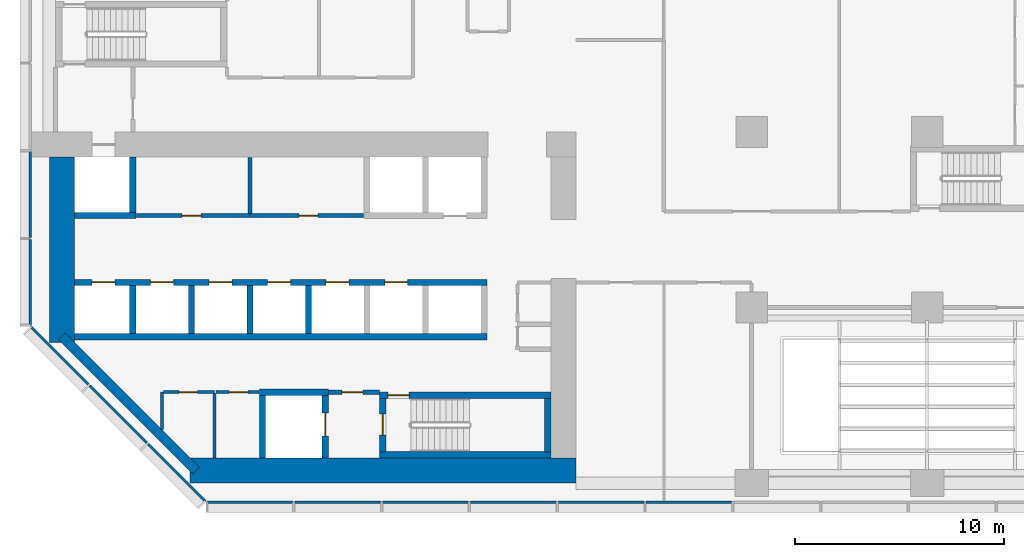
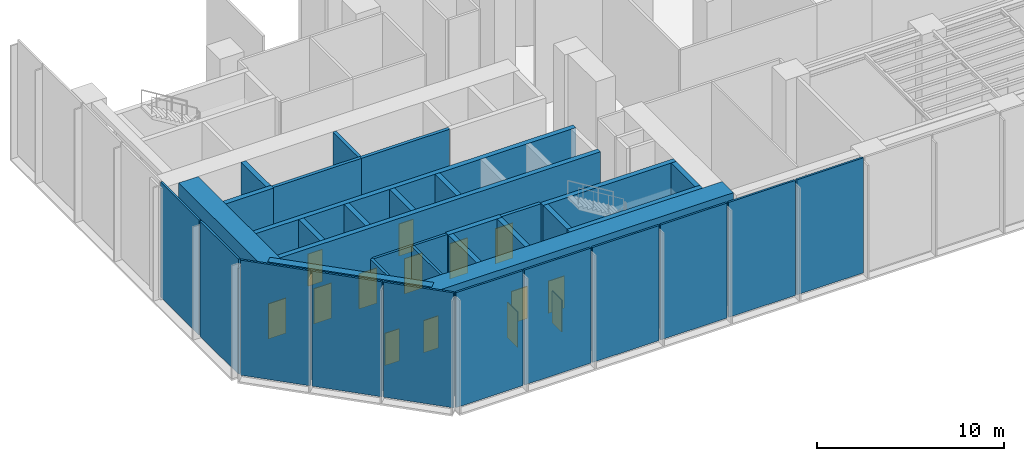
# One storey, part 12 of 22: 37 walls, 14 doors, 14 openings.
"""IFC4 building model written with IfcOpenShell, lengths in metres."""

from ifc_helpers import new_model, si_unit, direction, frame, frame_2d, origin, place, context, subcontext, project, spatial, polyline, rectangle, outline, extrude, material, layer, layer_set, type_object, element, fill, save


model = new_model("IFC4")

# Units and contexts
model_context = context("Model", 3, precision=1e-05, world=origin(), true_north=direction((0.0, 1.0)))
body_context = subcontext(model_context, "Body", "Model", "MODEL_VIEW")
ifc_project = project(units=[si_unit("LENGTHUNIT", "METRE"), si_unit("AREAUNIT", "SQUARE_METRE"), si_unit("VOLUMEUNIT", "CUBIC_METRE"), si_unit("PLANEANGLEUNIT", "RADIAN"), si_unit("MASSUNIT", "GRAM", prefix="KILO")], contexts=[model_context])

# Site, building, storey
site_placement = place(None, origin())
site = spatial("IfcSite", under=ifc_project, at=site_placement, CompositionType="ELEMENT")
building_placement = place(site_placement, origin())
building = spatial("IfcBuilding", under=site, at=building_placement, Name="Brevane Broadcast Tower", CompositionType="ELEMENT")
storey_placement = place(building_placement, frame((0.0, 0.0, 20.0)))
storey = spatial("IfcBuildingStorey", under=building, at=storey_placement, Name="L03", CompositionType="ELEMENT", Elevation=20.0)

# Wall
ifc_material_1 = material(Name="Gypsum board on steel studs", Category="steel")
ifc_layer_1 = layer(ifc_material_1, 0.14990234375)
ifc_layer_set_1 = layer_set([ifc_layer_1], Name="Core fire partition 150 mm")
wall_type_1 = type_object("IfcWallType", Name="Core fire partition 150 mm", PredefinedType="PARTITIONING", material=ifc_layer_set_1)
wall_1_placement = place(storey_placement, frame((5.39990234375, 2.553466796875, 0.0), z_axis=(0.0, 0.0, 1.0), x_axis=(0.0, 1.0, 0.0)))
element("IfcWall", 1, at=wall_1_placement, inside=storey, type_object=wall_type_1, Name="L03 partition wall P10", PredefinedType="PARTITIONING", context=body_context, shape_type="SweptSolid", body=[
    extrude(rectangle(XDim=1.796630859375, YDim=0.14990234375, at=frame_2d((0.8984375, 0.0))), origin(), (0.0, 0.0, 1.0), 7.25),
])

# Wall, opening, door
wall_2_placement = place(storey_placement, frame((5.47509765625, 4.35009765625, 0.0), z_axis=(0.0, 0.0, 1.0), x_axis=(1.0, 0.0, 0.0)))
wall_2 = element("IfcWall", 2, at=wall_2_placement, inside=storey, type_object=wall_type_1, Name="L03 partition wall P11", PredefinedType="PARTITIONING", context=body_context, shape_type="SweptSolid", body=[
    extrude(rectangle(XDim=2.4248046875, YDim=0.14990234375, at=frame_2d((1.21240234375, 0.0))), origin(), (0.0, 0.0, 1.0), 7.25),
])
opening_1_placement = place(wall_2_placement, frame((0.72509765625, 0.0, 0.0)))
opening_1 = element("IfcOpeningElement", 3, at=opening_1_placement, cuts=wall_2, Name="Opening L03-K19", PredefinedType="OPENING", context=body_context, shape_type="SweptSolid", body=[
    extrude(rectangle(XDim=0.89990234375, YDim=2.10009765625, at=frame_2d((0.449951171875, 1.050048828125))), frame((0.0, 0.0849609375, 0.0), z_axis=(0.0, -1.0, 0.0), x_axis=(1.0, 0.0, 0.0)), (0.0, 0.0, 1.0), 0.169921875),
])
ifc_material_2 = material(Name="Timber", Category="wood")
door_type_1 = type_object("IfcDoorType", Name="Toilet door 900 x 2100", OperationType="SINGLE_SWING_LEFT", PredefinedType="DOOR", material=ifc_material_2)
door_1_placement = place(opening_1_placement, origin())
door_1 = element("IfcDoor", 4, at=door_1_placement, inside=storey, type_object=door_type_1, Name="Door L03-K19", OperationType="SINGLE_SWING_RIGHT", OverallHeight=2.10009765625, OverallWidth=0.89990234375, PredefinedType="DOOR", context=body_context, shape_type="SweptSolid", body=[
    extrude(rectangle(XDim=0.89990234375, YDim=2.10009765625, at=frame_2d((0.449951171875, 1.050048828125))), frame((0.0, 0.02490234375, 0.0), z_axis=(0.0, -1.0, 0.0), x_axis=(1.0, 0.0, 0.0)), (0.0, 0.0, 1.0), 0.050048828125),
])
fill(opening_1, door_1)

# Wall
wall_3_placement = place(storey_placement, frame((7.89990234375, 4.27490234375, 0.0), z_axis=(0.0, 0.0, 1.0), x_axis=(0.0, -1.0, 0.0)))
element("IfcWall", 5, at=wall_3_placement, inside=storey, type_object=wall_type_1, Name="L03 partition wall P12", PredefinedType="PARTITIONING", context=body_context, shape_type="SweptSolid", body=[
    extrude(rectangle(XDim=3.06298828125, YDim=0.14990234375, at=frame_2d((1.531494140625, 0.0))), origin(), (0.0, 0.0, 1.0), 7.25),
])

# Wall, opening, door
wall_4_placement = place(storey_placement, frame((10.0380859375, 4.35009765625, 0.0), z_axis=(0.0, 0.0, 1.0), x_axis=(-1.0, 0.0, 0.0)))
wall_4 = element("IfcWall", 6, at=wall_4_placement, inside=storey, type_object=wall_type_1, Name="L03 partition wall P13", PredefinedType="PARTITIONING", context=body_context, shape_type="SweptSolid", body=[
    extrude(rectangle(XDim=2.06298828125, YDim=0.14990234375, at=frame_2d((1.031494140625, 0.0))), origin(), (0.0, 0.0, 1.0), 7.25),
])
opening_2_placement = place(wall_4_placement, frame((0.5380859375, 0.0, 0.0)))
opening_2 = element("IfcOpeningElement", 7, at=opening_2_placement, cuts=wall_4, Name="Opening L03-K20", PredefinedType="OPENING", context=body_context, shape_type="SweptSolid", body=[
    extrude(rectangle(XDim=0.89990234375, YDim=2.10009765625, at=frame_2d((0.449951171875, 1.050048828125))), frame((0.0, 0.0849609375, 0.0), z_axis=(0.0, -1.0, 0.0), x_axis=(1.0, 0.0, 0.0)), (0.0, 0.0, 1.0), 0.169921875),
])
door_2_placement = place(opening_2_placement, origin())
door_2 = element("IfcDoor", 8, at=door_2_placement, inside=storey, type_object=door_type_1, Name="Door L03-K20", OperationType="SINGLE_SWING_LEFT", OverallHeight=2.10009765625, OverallWidth=0.89990234375, PredefinedType="DOOR", context=body_context, shape_type="SweptSolid", body=[
    extrude(rectangle(XDim=0.89990234375, YDim=2.10009765625, at=frame_2d((0.449951171875, 1.050048828125))), frame((0.0, 0.02490234375, 0.0), z_axis=(0.0, -1.0, 0.0), x_axis=(1.0, 0.0, 0.0)), (0.0, 0.0, 1.0), 0.050048828125),
])
fill(opening_2, door_2)

ifc_layer_2 = layer(ifc_material_1, 0.199951171875)
ifc_layer_set_2 = layer_set([ifc_layer_2], Name="Core fire partition 200 mm")
wall_type_2 = type_object("IfcWallType", Name="Core fire partition 200 mm", PredefinedType="PARTITIONING", material=ifc_layer_set_2)
wall_5_placement = place(storey_placement, frame((13.362060546875, 4.35009765625, 0.0), z_axis=(0.0, 0.0, 1.0), x_axis=(1.0, 0.0, 0.0)))
wall_5 = element("IfcWall", 9, at=wall_5_placement, inside=storey, type_object=wall_type_2, Name="L03 partition wall P03", PredefinedType="PARTITIONING", context=body_context, shape_type="SweptSolid", body=[
    extrude(rectangle(XDim=2.426025390625, YDim=0.199951171875, at=frame_2d((1.212890625, 0.0))), origin(), (0.0, 0.0, 1.0), 7.25),
])
opening_3_placement = place(wall_5_placement, frame((0.637939453125, 0.0, 0.0)))
opening_3 = element("IfcOpeningElement", 10, at=opening_3_placement, cuts=wall_5, Name="Opening L03-K21", PredefinedType="OPENING", context=body_context, shape_type="SweptSolid", body=[
    extrude(rectangle(XDim=1.0, YDim=2.10009765625, at=frame_2d((0.5, 1.050048828125))), frame((0.0, 0.10986328125, 0.0), z_axis=(0.0, -1.0, 0.0), x_axis=(1.0, 0.0, 0.0)), (0.0, 0.0, 1.0), 0.219970703125),
])
ifc_material_3 = material(Name="Steel", Category="steel")
door_type_2 = type_object("IfcDoorType", Name="Stair door 1000 x 2100", OperationType="SINGLE_SWING_LEFT", PredefinedType="DOOR", material=ifc_material_3)
door_3_placement = place(opening_3_placement, origin())
door_3 = element("IfcDoor", 11, at=door_3_placement, inside=storey, type_object=door_type_2, Name="Door L03-K21", OperationType="SINGLE_SWING_RIGHT", OverallHeight=2.10009765625, OverallWidth=1.0, PredefinedType="DOOR", context=body_context, shape_type="SweptSolid", body=[
    extrude(rectangle(XDim=1.0, YDim=2.10009765625, at=frame_2d((0.5, 1.050048828125))), frame((0.0, 0.02490234375, 0.0), z_axis=(0.0, -1.0, 0.0), x_axis=(1.0, 0.0, 0.0)), (0.0, 0.0, 1.0), 0.050048828125),
])
fill(opening_3, door_3)

wall_6_placement = place(storey_placement, frame((4.162109375, 12.800048828125, 0.0), z_axis=(0.0, 0.0, 1.0), x_axis=(1.0, 0.0, 0.0)))
wall_6 = element("IfcWall", 12, at=wall_6_placement, inside=storey, type_object=wall_type_2, Name="L03 partition wall P04", PredefinedType="PARTITIONING", context=body_context, shape_type="SweptSolid", body=[
    extrude(rectangle(XDim=5.43798828125, YDim=0.199951171875, at=frame_2d((2.718994140625, 0.0))), origin(), (0.0, 0.0, 1.0), 7.25),
])
opening_4_placement = place(wall_6_placement, frame((2.18798828125, 0.0, 0.0)))
opening_4 = element("IfcOpeningElement", 13, at=opening_4_placement, cuts=wall_6, Name="Opening L03-K24", PredefinedType="OPENING", context=body_context, shape_type="SweptSolid", body=[
    extrude(rectangle(XDim=0.89990234375, YDim=2.10009765625, at=frame_2d((0.449951171875, 1.050048828125))), frame((0.0, 0.10986328125, 0.0), z_axis=(0.0, -1.0, 0.0), x_axis=(1.0, 0.0, 0.0)), (0.0, 0.0, 1.0), 0.219970703125),
])
door_type_3 = type_object("IfcDoorType", Name="Service room door 900 x 2100", OperationType="SINGLE_SWING_LEFT", PredefinedType="DOOR", material=ifc_material_3)
door_4_placement = place(opening_4_placement, origin())
door_4 = element("IfcDoor", 14, at=door_4_placement, inside=storey, type_object=door_type_3, Name="Door L03-K24", OperationType="SINGLE_SWING_LEFT", OverallHeight=2.10009765625, OverallWidth=0.89990234375, PredefinedType="DOOR", context=body_context, shape_type="SweptSolid", body=[
    extrude(rectangle(XDim=0.89990234375, YDim=2.10009765625, at=frame_2d((0.449951171875, 1.050048828125))), frame((0.0, 0.02490234375, 0.0), z_axis=(0.0, -1.0, 0.0), x_axis=(1.0, 0.0, 0.0)), (0.0, 0.0, 1.0), 0.050048828125),
])
fill(opening_4, door_4)

wall_7_placement = place(storey_placement, frame((9.60009765625, 12.800048828125, 0.0), z_axis=(0.0, 0.0, 1.0), x_axis=(1.0, 0.0, 0.0)))
wall_7 = element("IfcWall", 15, at=wall_7_placement, inside=storey, type_object=wall_type_2, Name="L03 partition wall P05", PredefinedType="PARTITIONING", context=body_context, shape_type="SweptSolid", body=[
    extrude(rectangle(XDim=5.43798828125, YDim=0.199951171875, at=frame_2d((2.718994140625, 0.0))), origin(), (0.0, 0.0, 1.0), 7.25),
])
opening_5_placement = place(wall_7_placement, frame((2.35009765625, 0.0, 0.0)))
opening_5 = element("IfcOpeningElement", 16, at=opening_5_placement, cuts=wall_7, Name="Opening L03-K25", PredefinedType="OPENING", context=body_context, shape_type="SweptSolid", body=[
    extrude(rectangle(XDim=0.89990234375, YDim=2.10009765625, at=frame_2d((0.449951171875, 1.050048828125))), frame((0.0, 0.10986328125, 0.0), z_axis=(0.0, -1.0, 0.0), x_axis=(1.0, 0.0, 0.0)), (0.0, 0.0, 1.0), 0.219970703125),
])
door_5_placement = place(opening_5_placement, origin())
door_5 = element("IfcDoor", 17, at=door_5_placement, inside=storey, type_object=door_type_3, Name="Door L03-K25", OperationType="SINGLE_SWING_RIGHT", OverallHeight=2.10009765625, OverallWidth=0.89990234375, PredefinedType="DOOR", context=body_context, shape_type="SweptSolid", body=[
    extrude(rectangle(XDim=0.89990234375, YDim=2.10009765625, at=frame_2d((0.449951171875, 1.050048828125))), frame((0.0, 0.02490234375, 0.0), z_axis=(0.0, -1.0, 0.0), x_axis=(1.0, 0.0, 0.0)), (0.0, 0.0, 1.0), 0.050048828125),
])
fill(opening_5, door_5)

# Walls
wall_8_placement = place(storey_placement, frame((9.60009765625, 15.587890625, 0.0), z_axis=(0.0, 0.0, 1.0), x_axis=(0.0, -1.0, 0.0)))
element("IfcWall", 18, at=wall_8_placement, inside=storey, type_object=wall_type_2, Name="L03 partition wall P06", PredefinedType="PARTITIONING", context=body_context, shape_type="SweptSolid", body=[
    extrude(rectangle(XDim=2.68798828125, YDim=0.199951171875, at=frame_2d((1.343994140625, 0.0))), origin(), (0.0, 0.0, 1.0), 7.25),
])
ifc_material_4 = material(Name="Concrete C80/95", Category="concrete")
ifc_layer_3 = layer(ifc_material_4, 1.199951171875)
ifc_layer_set_3 = layer_set([ifc_layer_3], Name="Core wall 1200 mm C80/95")
wall_type_3 = type_object("IfcWallType", Name="Core wall 1200 mm C80/95", PredefinedType="SHEAR", material=ifc_layer_set_3)
wall_9_placement = place(storey_placement, frame((6.736328125, 0.60009765625, 0.0), z_axis=(0.0, 0.0, 1.0), x_axis=(1.0, 0.0, 0.0)))
element("IfcWall", 19, at=wall_9_placement, inside=storey, type_object=wall_type_3, Name="L03 outer wall WS", PredefinedType="SHEAR", context=body_context, shape_type="SweptSolid", body=[
    extrude(rectangle(XDim=18.463623046875, YDim=1.199951171875, at=frame_2d((9.23193359375, 0.0))), origin(), (0.0, 0.0, 1.0), 7.25),
])
wall_10_placement = place(storey_placement, frame((0.60009765625, 6.736328125, 0.0), z_axis=(0.0, 0.0, 1.0), x_axis=(0.0, 1.0, 0.0)))
element("IfcWall", 20, at=wall_10_placement, inside=storey, type_object=wall_type_3, Name="L03 outer wall WW", PredefinedType="SHEAR", context=body_context, shape_type="SweptSolid", body=[
    extrude(rectangle(XDim=8.86376953125, YDim=1.199951171875, at=frame_2d((4.431884765625, 0.0))), origin(), (0.0, 0.0, 1.0), 7.25),
])
ifc_layer_4 = layer(ifc_material_4, 0.300048828125)
ifc_layer_set_4 = layer_set([ifc_layer_4], Name="Core wall 300 mm C80/95")
wall_type_4 = type_object("IfcWallType", Name="Core wall 300 mm C80/95", PredefinedType="SHEAR", material=ifc_layer_set_4)
wall_11_placement = place(storey_placement, frame((1.199951171875, 7.0, 0.0), z_axis=(0.0, 0.0, 1.0), x_axis=(1.0, 0.0, 0.0)))
element("IfcWall", 21, at=wall_11_placement, inside=storey, type_object=wall_type_4, Name="L03 shaft wall SH-S012-back", PredefinedType="SHEAR", context=body_context, shape_type="SweptSolid", body=[
    extrude(rectangle(XDim=19.75, YDim=0.300048828125, at=frame_2d((9.875, 0.0))), origin(), (0.0, 0.0, 1.0), 7.25),
])

# Wall, openings, doors
wall_12_placement = place(storey_placement, frame((1.199951171875, 9.60009765625, 0.0), z_axis=(0.0, 0.0, 1.0), x_axis=(1.0, 0.0, 0.0)))
wall_12 = element("IfcWall", 22, at=wall_12_placement, inside=storey, type_object=wall_type_4, Name="L03 shaft wall SH-S012-front", PredefinedType="SHEAR", context=body_context, shape_type="SweptSolid", body=[
    extrude(rectangle(XDim=19.75, YDim=0.300048828125, at=frame_2d((9.875, 0.0))), origin(), (0.0, 0.0, 1.0), 7.25),
])
opening_6_placement = place(wall_12_placement, frame((0.85009765625, 0.0, 0.0)))
opening_6 = element("IfcOpeningElement", 23, at=opening_6_placement, cuts=wall_12, Name="Opening LD", PredefinedType="OPENING", context=body_context, shape_type="SweptSolid", body=[
    extrude(rectangle(XDim=1.10009765625, YDim=2.300048828125, at=frame_2d((0.550048828125, 1.14990234375))), frame((0.0, 0.159912109375, 0.0), z_axis=(0.0, -1.0, 0.0), x_axis=(1.0, 0.0, 0.0)), (0.0, 0.0, 1.0), 0.320068359375),
])
opening_7_placement = place(wall_12_placement, frame((3.64990234375, 0.0, 0.0)))
opening_7 = element("IfcOpeningElement", 24, at=opening_7_placement, cuts=wall_12, Name="Opening LD", PredefinedType="OPENING", context=body_context, shape_type="SweptSolid", body=[
    extrude(rectangle(XDim=1.10009765625, YDim=2.300048828125, at=frame_2d((0.550048828125, 1.14990234375))), frame((0.0, 0.159912109375, 0.0), z_axis=(0.0, -1.0, 0.0), x_axis=(1.0, 0.0, 0.0)), (0.0, 0.0, 1.0), 0.320068359375),
])
opening_8_placement = place(wall_12_placement, frame((6.449951171875, 0.0, 0.0)))
opening_8 = element("IfcOpeningElement", 25, at=opening_8_placement, cuts=wall_12, Name="Opening LD", PredefinedType="OPENING", context=body_context, shape_type="SweptSolid", body=[
    extrude(rectangle(XDim=1.10009765625, YDim=2.300048828125, at=frame_2d((0.550048828125, 1.14990234375))), frame((0.0, 0.159912109375, 0.0), z_axis=(0.0, -1.0, 0.0), x_axis=(1.0, 0.0, 0.0)), (0.0, 0.0, 1.0), 0.320068359375),
])
opening_9_placement = place(wall_12_placement, frame((9.25, 0.0, 0.0)))
opening_9 = element("IfcOpeningElement", 26, at=opening_9_placement, cuts=wall_12, Name="Opening LD", PredefinedType="OPENING", context=body_context, shape_type="SweptSolid", body=[
    extrude(rectangle(XDim=1.10009765625, YDim=2.300048828125, at=frame_2d((0.550048828125, 1.14990234375))), frame((0.0, 0.159912109375, 0.0), z_axis=(0.0, -1.0, 0.0), x_axis=(1.0, 0.0, 0.0)), (0.0, 0.0, 1.0), 0.320068359375),
])
opening_10_placement = place(wall_12_placement, frame((12.050048828125, 0.0, 0.0)))
opening_10 = element("IfcOpeningElement", 27, at=opening_10_placement, cuts=wall_12, Name="Opening LD", PredefinedType="OPENING", context=body_context, shape_type="SweptSolid", body=[
    extrude(rectangle(XDim=1.10009765625, YDim=2.300048828125, at=frame_2d((0.550048828125, 1.14990234375))), frame((0.0, 0.159912109375, 0.0), z_axis=(0.0, -1.0, 0.0), x_axis=(1.0, 0.0, 0.0)), (0.0, 0.0, 1.0), 0.320068359375),
])
opening_11_placement = place(wall_12_placement, frame((14.85009765625, 0.0, 0.0)))
opening_11 = element("IfcOpeningElement", 28, at=opening_11_placement, cuts=wall_12, Name="Opening LD", PredefinedType="OPENING", context=body_context, shape_type="SweptSolid", body=[
    extrude(rectangle(XDim=1.10009765625, YDim=2.300048828125, at=frame_2d((0.550048828125, 1.14990234375))), frame((0.0, 0.159912109375, 0.0), z_axis=(0.0, -1.0, 0.0), x_axis=(1.0, 0.0, 0.0)), (0.0, 0.0, 1.0), 0.320068359375),
])
ifc_material_5 = material(Name="Stainless steel", Category="steel")
door_type_4 = type_object("IfcDoorType", Name="Lift landing door", OperationType="SLIDING_TO_LEFT", PredefinedType="DOOR", material=ifc_material_5)
door_6_placement = place(opening_6_placement, origin())
door_6 = element("IfcDoor", 29, at=door_6_placement, inside=storey, type_object=door_type_4, Name="Landing door LR1 L03", OperationType="SLIDING_TO_LEFT", OverallHeight=2.300048828125, OverallWidth=1.10009765625, PredefinedType="DOOR", context=body_context, shape_type="SweptSolid", body=[
    extrude(rectangle(XDim=1.10009765625, YDim=2.300048828125, at=frame_2d((0.550048828125, 1.14990234375))), frame((0.0, 0.02490234375, 0.0), z_axis=(0.0, -1.0, 0.0), x_axis=(1.0, 0.0, 0.0)), (0.0, 0.0, 1.0), 0.050048828125),
])
fill(opening_6, door_6)
door_7_placement = place(opening_7_placement, origin())
door_7 = element("IfcDoor", 30, at=door_7_placement, inside=storey, type_object=door_type_4, Name="Landing door LR2 L03", OperationType="SLIDING_TO_LEFT", OverallHeight=2.300048828125, OverallWidth=1.10009765625, PredefinedType="DOOR", context=body_context, shape_type="SweptSolid", body=[
    extrude(rectangle(XDim=1.10009765625, YDim=2.300048828125, at=frame_2d((0.550048828125, 1.14990234375))), frame((0.0, 0.02490234375, 0.0), z_axis=(0.0, -1.0, 0.0), x_axis=(1.0, 0.0, 0.0)), (0.0, 0.0, 1.0), 0.050048828125),
])
fill(opening_7, door_7)
door_8_placement = place(opening_8_placement, origin())
door_8 = element("IfcDoor", 31, at=door_8_placement, inside=storey, type_object=door_type_4, Name="Landing door LR3 L03", OperationType="SLIDING_TO_LEFT", OverallHeight=2.300048828125, OverallWidth=1.10009765625, PredefinedType="DOOR", context=body_context, shape_type="SweptSolid", body=[
    extrude(rectangle(XDim=1.10009765625, YDim=2.300048828125, at=frame_2d((0.550048828125, 1.14990234375))), frame((0.0, 0.02490234375, 0.0), z_axis=(0.0, -1.0, 0.0), x_axis=(1.0, 0.0, 0.0)), (0.0, 0.0, 1.0), 0.050048828125),
])
fill(opening_8, door_8)
door_9_placement = place(opening_9_placement, origin())
door_9 = element("IfcDoor", 32, at=door_9_placement, inside=storey, type_object=door_type_4, Name="Landing door LR4 L03", OperationType="SLIDING_TO_LEFT", OverallHeight=2.300048828125, OverallWidth=1.10009765625, PredefinedType="DOOR", context=body_context, shape_type="SweptSolid", body=[
    extrude(rectangle(XDim=1.10009765625, YDim=2.300048828125, at=frame_2d((0.550048828125, 1.14990234375))), frame((0.0, 0.02490234375, 0.0), z_axis=(0.0, -1.0, 0.0), x_axis=(1.0, 0.0, 0.0)), (0.0, 0.0, 1.0), 0.050048828125),
])
fill(opening_9, door_9)
door_10_placement = place(opening_10_placement, origin())
door_10 = element("IfcDoor", 33, at=door_10_placement, inside=storey, type_object=door_type_4, Name="Landing door LR5 L03", OperationType="SLIDING_TO_LEFT", OverallHeight=2.300048828125, OverallWidth=1.10009765625, PredefinedType="DOOR", context=body_context, shape_type="SweptSolid", body=[
    extrude(rectangle(XDim=1.10009765625, YDim=2.300048828125, at=frame_2d((0.550048828125, 1.14990234375))), frame((0.0, 0.02490234375, 0.0), z_axis=(0.0, -1.0, 0.0), x_axis=(1.0, 0.0, 0.0)), (0.0, 0.0, 1.0), 0.050048828125),
])
fill(opening_10, door_10)
door_11_placement = place(opening_11_placement, origin())
door_11 = element("IfcDoor", 34, at=door_11_placement, inside=storey, type_object=door_type_4, Name="Landing door LR6 L03", OperationType="SLIDING_TO_LEFT", OverallHeight=2.300048828125, OverallWidth=1.10009765625, PredefinedType="DOOR", context=body_context, shape_type="SweptSolid", body=[
    extrude(rectangle(XDim=1.10009765625, YDim=2.300048828125, at=frame_2d((0.550048828125, 1.14990234375))), frame((0.0, 0.02490234375, 0.0), z_axis=(0.0, -1.0, 0.0), x_axis=(1.0, 0.0, 0.0)), (0.0, 0.0, 1.0), 0.050048828125),
])
fill(opening_11, door_11)

# Walls
for number, where, z_axis, x_axis, name in (
    (35, (4.0, 7.14990234375, 0.0), (0.0, 0.0, 1.0), (0.0, 1.0, 0.0), "L03 shaft wall SH-S-P040"),
    (36, (6.800048828125, 7.14990234375, 0.0), (0.0, 0.0, 1.0), (0.0, 1.0, 0.0), "L03 shaft wall SH-S-P068"),
    (37, (9.60009765625, 7.14990234375, 0.0), (0.0, 0.0, 1.0), (0.0, 1.0, 0.0), "L03 shaft wall SH-S-P096"),
    (38, (12.39990234375, 7.14990234375, 0.0), (0.0, 0.0, 1.0), (0.0, 1.0, 0.0), "L03 shaft wall SH-S-P124"),
):
    element("IfcWall", number, at=place(storey_placement, frame(where, z_axis=z_axis, x_axis=x_axis)), inside=storey, type_object=wall_type_4, Name=name, PredefinedType="SHEAR", context=body_context, shape_type="SweptSolid", body=[
        extrude(rectangle(XDim=2.300048828125, YDim=0.300048828125, at=frame_2d((1.14990234375, 0.0))), origin(), (0.0, 0.0, 1.0), 7.25),
    ])
wall_13_placement = place(storey_placement, frame((1.199951171875, 12.800048828125, 0.0), z_axis=(0.0, 0.0, 1.0), x_axis=(1.0, 0.0, 0.0)))
element("IfcWall", 39, at=wall_13_placement, inside=storey, type_object=wall_type_4, Name="L03 shaft wall SH-N012-front", PredefinedType="SHEAR", context=body_context, shape_type="SweptSolid", body=[
    extrude(rectangle(XDim=2.949951171875, YDim=0.300048828125, at=frame_2d((1.47509765625, 0.0))), origin(), (0.0, 0.0, 1.0), 7.25),
])
wall_14_placement = place(storey_placement, frame((4.0, 12.949951171875, 0.0), z_axis=(0.0, 0.0, 1.0), x_axis=(0.0, 1.0, 0.0)))
element("IfcWall", 40, at=wall_14_placement, inside=storey, type_object=wall_type_4, Name="L03 shaft wall SH-N-P040", PredefinedType="SHEAR", context=body_context, shape_type="SweptSolid", body=[
    extrude(rectangle(XDim=2.650146484375, YDim=0.300048828125, at=frame_2d((1.3251953125, 0.0))), origin(), (0.0, 0.0, 1.0), 7.25),
])
wall_15_placement = place(storey_placement, frame((10.199951171875, 1.199951171875, 0.0), z_axis=(0.0, 0.0, 1.0), x_axis=(0.0, 1.0, 0.0)))
element("IfcWall", 41, at=wall_15_placement, inside=storey, type_object=wall_type_4, Name="L03 shaft wall FF2-W", PredefinedType="SHEAR", context=body_context, shape_type="SweptSolid", body=[
    extrude(rectangle(XDim=3.0, YDim=0.300048828125, at=frame_2d((1.5, 0.0))), origin(), (0.0, 0.0, 1.0), 7.25),
])

# Wall, opening, door
wall_16_placement = place(storey_placement, frame((13.199951171875, 1.199951171875, 0.0), z_axis=(0.0, 0.0, 1.0), x_axis=(0.0, 1.0, 0.0)))
wall_16 = element("IfcWall", 42, at=wall_16_placement, inside=storey, type_object=wall_type_4, Name="L03 shaft wall FF2-E", PredefinedType="SHEAR", context=body_context, shape_type="SweptSolid", body=[
    extrude(rectangle(XDim=3.0, YDim=0.300048828125, at=frame_2d((1.5, 0.0))), origin(), (0.0, 0.0, 1.0), 7.25),
])
opening_12_placement = place(wall_16_placement, frame((1.050048828125, 0.0, 0.0)))
opening_12 = element("IfcOpeningElement", 43, at=opening_12_placement, cuts=wall_16, Name="Opening LD", PredefinedType="OPENING", context=body_context, shape_type="SweptSolid", body=[
    extrude(rectangle(XDim=1.10009765625, YDim=2.300048828125, at=frame_2d((0.550048828125, 1.14990234375))), frame((0.0, 0.159912109375, 0.0), z_axis=(0.0, -1.0, 0.0), x_axis=(1.0, 0.0, 0.0)), (0.0, 0.0, 1.0), 0.320068359375),
])
door_12_placement = place(opening_12_placement, origin())
door_12 = element("IfcDoor", 44, at=door_12_placement, inside=storey, type_object=door_type_4, Name="Landing door FF2 L03", OperationType="SLIDING_TO_LEFT", OverallHeight=2.300048828125, OverallWidth=1.10009765625, PredefinedType="DOOR", context=body_context, shape_type="SweptSolid", body=[
    extrude(rectangle(XDim=1.10009765625, YDim=2.300048828125, at=frame_2d((0.550048828125, 1.14990234375))), frame((0.0, 0.02490234375, 0.0), z_axis=(0.0, -1.0, 0.0), x_axis=(1.0, 0.0, 0.0)), (0.0, 0.0, 1.0), 0.050048828125),
])
fill(opening_12, door_12)

# Walls
wall_17_placement = place(storey_placement, frame((10.050048828125, 4.35009765625, 0.0), z_axis=(0.0, 0.0, 1.0), x_axis=(1.0, 0.0, 0.0)))
element("IfcWall", 45, at=wall_17_placement, inside=storey, type_object=wall_type_4, Name="L03 shaft wall FF2-N", PredefinedType="SHEAR", context=body_context, shape_type="SweptSolid", body=[
    extrude(rectangle(XDim=3.300048828125, YDim=0.300048828125, at=frame_2d((1.64990234375, 0.0))), origin(), (0.0, 0.0, 1.0), 7.25),
])
wall_18_placement = place(storey_placement, frame((15.800048828125, 1.35009765625, 0.0), z_axis=(0.0, 0.0, 1.0), x_axis=(1.0, 0.0, 0.0)))
element("IfcWall", 46, at=wall_18_placement, inside=storey, type_object=wall_type_4, Name="L03 stair wall ST-2-S", PredefinedType="SHEAR", context=body_context, shape_type="SweptSolid", body=[
    extrude(rectangle(XDim=8.199951171875, YDim=0.300048828125, at=frame_2d((4.10009765625, 0.0))), origin(), (0.0, 0.0, 1.0), 7.25),
])

# Wall, opening, door
wall_19_placement = place(storey_placement, frame((15.800048828125, 4.199951171875, 0.0), z_axis=(0.0, 0.0, 1.0), x_axis=(1.0, 0.0, 0.0)))
wall_19 = element("IfcWall", 47, at=wall_19_placement, inside=storey, type_object=wall_type_4, Name="L03 stair wall ST-2-N", PredefinedType="SHEAR", context=body_context, shape_type="SweptSolid", body=[
    extrude(rectangle(XDim=8.199951171875, YDim=0.300048828125, at=frame_2d((4.10009765625, 0.0))), origin(), (0.0, 0.0, 1.0), 7.25),
])
opening_13_placement = place(wall_19_placement, frame((0.39990234375, 0.0, 0.0)))
opening_13 = element("IfcOpeningElement", 48, at=opening_13_placement, cuts=wall_19, Name="Opening L03-K14", PredefinedType="OPENING", context=body_context, shape_type="SweptSolid", body=[
    extrude(rectangle(XDim=1.0, YDim=2.10009765625, at=frame_2d((0.5, 1.050048828125))), frame((0.0, 0.159912109375, 0.0), z_axis=(0.0, -1.0, 0.0), x_axis=(1.0, 0.0, 0.0)), (0.0, 0.0, 1.0), 0.320068359375),
])
door_13_placement = place(opening_13_placement, origin())
door_13 = element("IfcDoor", 49, at=door_13_placement, inside=storey, type_object=door_type_2, Name="Door L03-K14", OperationType="SINGLE_SWING_LEFT", OverallHeight=2.10009765625, OverallWidth=1.0, PredefinedType="DOOR", context=body_context, shape_type="SweptSolid", body=[
    extrude(rectangle(XDim=1.0, YDim=2.10009765625, at=frame_2d((0.5, 1.050048828125))), frame((0.0, 0.02490234375, 0.0), z_axis=(0.0, -1.0, 0.0), x_axis=(1.0, 0.0, 0.0)), (0.0, 0.0, 1.0), 0.050048828125),
])
fill(opening_13, door_13)

wall_20_placement = place(storey_placement, frame((15.949951171875, 1.5, 0.0), z_axis=(0.0, 0.0, 1.0), x_axis=(0.0, 1.0, 0.0)))
wall_20 = element("IfcWall", 50, at=wall_20_placement, inside=storey, type_object=wall_type_4, Name="L03 stair wall ST-2-W", PredefinedType="SHEAR", context=body_context, shape_type="SweptSolid", body=[
    extrude(rectangle(XDim=2.550048828125, YDim=0.300048828125, at=frame_2d((1.27490234375, 0.0))), origin(), (0.0, 0.0, 1.0), 7.25),
])
opening_14_placement = place(wall_20_placement, frame((0.800048828125, 0.0, 0.0)))
opening_14 = element("IfcOpeningElement", 51, at=opening_14_placement, cuts=wall_20, Name="Opening L03-K13", PredefinedType="OPENING", context=body_context, shape_type="SweptSolid", body=[
    extrude(rectangle(XDim=1.0, YDim=2.10009765625, at=frame_2d((0.5, 1.050048828125))), frame((0.0, 0.159912109375, 0.0), z_axis=(0.0, -1.0, 0.0), x_axis=(1.0, 0.0, 0.0)), (0.0, 0.0, 1.0), 0.320068359375),
])
door_14_placement = place(opening_14_placement, origin())
door_14 = element("IfcDoor", 52, at=door_14_placement, inside=storey, type_object=door_type_2, Name="Door L03-K13", OperationType="SINGLE_SWING_RIGHT", OverallHeight=2.10009765625, OverallWidth=1.0, PredefinedType="DOOR", context=body_context, shape_type="SweptSolid", body=[
    extrude(rectangle(XDim=1.0, YDim=2.10009765625, at=frame_2d((0.5, 1.050048828125))), frame((0.0, 0.02490234375, 0.0), z_axis=(0.0, -1.0, 0.0), x_axis=(1.0, 0.0, 0.0)), (0.0, 0.0, 1.0), 0.050048828125),
])
fill(opening_14, door_14)

# Walls
wall_21_placement = place(storey_placement, frame((23.85009765625, 1.5, 0.0), z_axis=(0.0, 0.0, 1.0), x_axis=(0.0, 1.0, 0.0)))
element("IfcWall", 53, at=wall_21_placement, inside=storey, type_object=wall_type_4, Name="L03 stair wall ST-2-E", PredefinedType="SHEAR", context=body_context, shape_type="SweptSolid", body=[
    extrude(rectangle(XDim=2.550048828125, YDim=0.300048828125, at=frame_2d((1.27490234375, 0.0))), origin(), (0.0, 0.0, 1.0), 7.25),
])
ifc_layer_5 = layer(ifc_material_4, 0.449951171875)
ifc_layer_set_5 = layer_set([ifc_layer_5], Name="Core wall 450 mm C80/95")
wall_type_5 = type_object("IfcWallType", Name="Core wall 450 mm C80/95", PredefinedType="SHEAR", material=ifc_layer_set_5)
wall_22_placement = place(storey_placement, frame((0.60009765625, 7.018310546875, 0.0), z_axis=(0.0, 0.0, 1.0), x_axis=(0.707106781187, -0.707106781187, 0.0)))
element("IfcWall", 54, at=wall_22_placement, inside=storey, type_object=wall_type_5, Name="L03 outer wall WC", PredefinedType="SHEAR", context=body_context, shape_type="SweptSolid", body=[
    extrude(rectangle(XDim=9.07666015625, YDim=0.449951171875, at=frame_2d((4.538330078125, 0.0))), origin(), (0.0, 0.0, 1.0), 7.25),
])
ifc_material_6 = material(Name="Precast concrete C40/50", Category="concrete")
ifc_layer_6 = layer(ifc_material_6, 0.1201171875)
ifc_layer_set_6 = layer_set([ifc_layer_6], Name="Podium precast cladding wall 120 C40/50")
wall_type_6 = type_object("IfcWallType", Name="Podium precast cladding wall 120 C40/50", PredefinedType="SOLIDWALL", material=ifc_layer_set_6)
wall_23_placement = place(storey_placement, origin())
element("IfcWall", 55, at=wall_23_placement, inside=storey, type_object=wall_type_6, Name="Podium precast cladding wall", PredefinedType="SOLIDWALL", context=body_context, shape_type="SweptSolid", body=[
    extrude(outline(polyline([(11.655029296875, -0.969970703125), (11.655029296875, -0.85009765625), (7.544921875, -0.85009765625), (7.544921875, -0.969970703125), (11.655029296875, -0.969970703125)])), origin(), (0.0, 0.0, 1.0), 7.5),
])
wall_24_placement = place(storey_placement, origin())
element("IfcWall", 56, at=wall_24_placement, inside=storey, type_object=wall_type_6, Name="Podium precast cladding wall", PredefinedType="SOLIDWALL", context=body_context, shape_type="SweptSolid", body=[
    extrude(outline(polyline([(15.85498046875, -0.969970703125), (15.85498046875, -0.85009765625), (11.7451171875, -0.85009765625), (11.7451171875, -0.969970703125), (15.85498046875, -0.969970703125)])), origin(), (0.0, 0.0, 1.0), 7.5),
])
wall_25_placement = place(storey_placement, origin())
element("IfcWall", 57, at=wall_25_placement, inside=storey, type_object=wall_type_6, Name="Podium precast cladding wall", PredefinedType="SOLIDWALL", context=body_context, shape_type="SweptSolid", body=[
    extrude(outline(polyline([(20.054931640625, -0.969970703125), (20.054931640625, -0.85009765625), (15.945068359375, -0.85009765625), (15.945068359375, -0.969970703125), (20.054931640625, -0.969970703125)])), origin(), (0.0, 0.0, 1.0), 7.5),
])
wall_26_placement = place(storey_placement, origin())
element("IfcWall", 58, at=wall_26_placement, inside=storey, type_object=wall_type_6, Name="Podium precast cladding wall", PredefinedType="SOLIDWALL", context=body_context, shape_type="SweptSolid", body=[
    extrude(outline(polyline([(24.2548828125, -0.969970703125), (24.2548828125, -0.85009765625), (20.14501953125, -0.85009765625), (20.14501953125, -0.969970703125), (24.2548828125, -0.969970703125)])), origin(), (0.0, 0.0, 1.0), 7.5),
])
wall_27_placement = place(storey_placement, origin())
element("IfcWall", 59, at=wall_27_placement, inside=storey, type_object=wall_type_6, Name="Podium precast cladding wall", PredefinedType="SOLIDWALL", context=body_context, shape_type="SweptSolid", body=[
    extrude(outline(polyline([(28.455078125, -0.969970703125), (28.455078125, -0.85009765625), (24.344970703125, -0.85009765625), (24.344970703125, -0.969970703125), (28.455078125, -0.969970703125)])), origin(), (0.0, 0.0, 1.0), 7.5),
])
wall_28_placement = place(storey_placement, origin())
element("IfcWall", 60, at=wall_28_placement, inside=storey, type_object=wall_type_6, Name="Podium precast cladding wall", PredefinedType="SOLIDWALL", context=body_context, shape_type="SweptSolid", body=[
    extrude(outline(polyline([(32.655029296875, -0.969970703125), (32.655029296875, -0.85009765625), (28.544921875, -0.85009765625), (28.544921875, -0.969970703125), (32.655029296875, -0.969970703125)])), origin(), (0.0, 0.0, 1.0), 7.5),
])
wall_29_placement = place(storey_placement, origin())
element("IfcWall", 61, at=wall_29_placement, inside=storey, type_object=wall_type_6, Name="Podium precast cladding wall", PredefinedType="SOLIDWALL", context=body_context, shape_type="SweptSolid", body=[
    extrude(outline(polyline([(-0.969970703125, 11.7451171875), (-0.85009765625, 11.7451171875), (-0.85009765625, 15.85498046875), (-0.969970703125, 15.85498046875), (-0.969970703125, 11.7451171875)])), origin(), (0.0, 0.0, 1.0), 7.5),
])
wall_30_placement = place(storey_placement, origin())
element("IfcWall", 62, at=wall_30_placement, inside=storey, type_object=wall_type_6, Name="Podium precast cladding wall", PredefinedType="SOLIDWALL", context=body_context, shape_type="SweptSolid", body=[
    extrude(outline(polyline([(-0.969970703125, 7.544921875), (-0.85009765625, 7.544921875), (-0.85009765625, 11.655029296875), (-0.969970703125, 11.655029296875), (-0.969970703125, 7.544921875)])), origin(), (0.0, 0.0, 1.0), 7.5),
])
wall_31_placement = place(storey_placement, origin())
element("IfcWall", 63, at=wall_31_placement, inside=storey, type_object=wall_type_6, Name="Podium precast cladding wall", PredefinedType="SOLIDWALL", context=body_context, shape_type="SweptSolid", body=[
    extrude(outline(polyline([(-0.832763671875, 7.50341796875), (-0.917724609375, 7.418701171875), (1.818603515625, 4.682373046875), (1.903564453125, 4.76708984375), (-0.832763671875, 7.50341796875)])), origin(), (0.0, 0.0, 1.0), 7.5),
])
wall_32_placement = place(storey_placement, origin())
element("IfcWall", 64, at=wall_32_placement, inside=storey, type_object=wall_type_6, Name="Podium precast cladding wall", PredefinedType="SOLIDWALL", context=body_context, shape_type="SweptSolid", body=[
    extrude(outline(polyline([(1.96728515625, 4.70361328125), (4.70361328125, 1.96728515625), (4.61865234375, 1.88232421875), (1.88232421875, 4.61865234375), (1.96728515625, 4.70361328125)])), origin(), (0.0, 0.0, 1.0), 7.5),
])
wall_33_placement = place(storey_placement, origin())
element("IfcWall", 65, at=wall_33_placement, inside=storey, type_object=wall_type_6, Name="Podium precast cladding wall", PredefinedType="SOLIDWALL", context=body_context, shape_type="SweptSolid", body=[
    extrude(outline(polyline([(4.76708984375, 1.903564453125), (7.50341796875, -0.832763671875), (7.418701171875, -0.917724609375), (4.682373046875, 1.818603515625), (4.76708984375, 1.903564453125)])), origin(), (0.0, 0.0, 1.0), 7.5),
])

save(model, "model.ifc")
